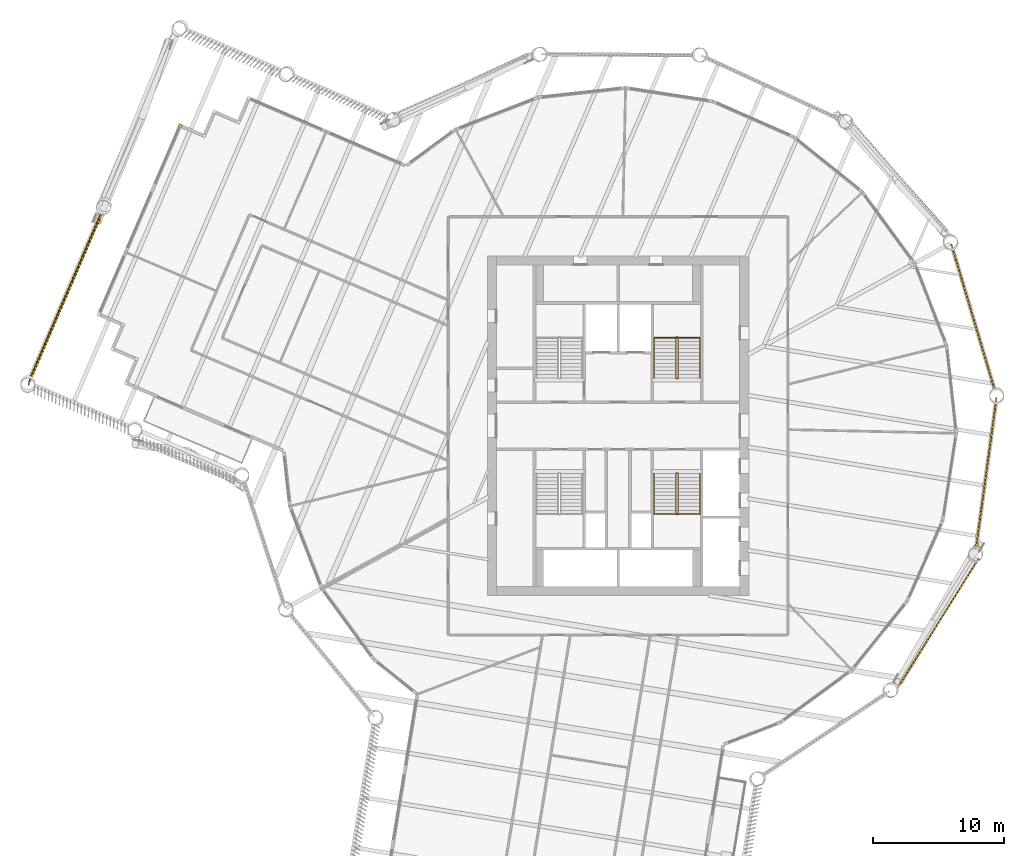
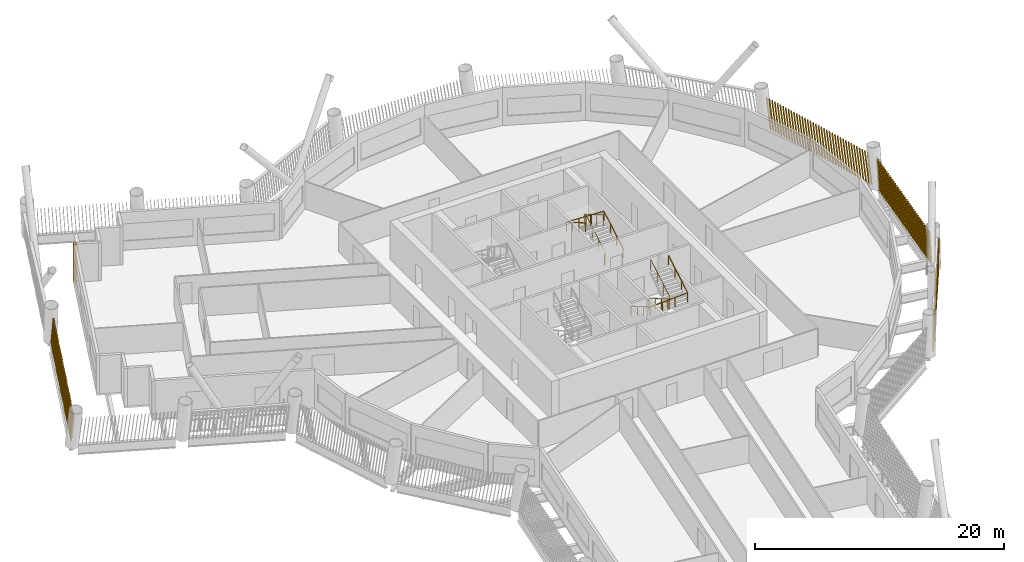
# One storey, part 20 of 22: 5 shading devices, 4 railings.
"""IFC4 building model written with IfcOpenShell, lengths in metres."""

from ifc_helpers import new_model, si_unit, direction, frame, frame_2d, origin, origin_2d, place, context, subcontext, project, spatial, rectangle, circle, composite_profile, extrude, material, type_object, element, save


model = new_model("IFC4")

# Units and contexts
model_context = context("Model", 3, precision=1e-05, world=origin(), true_north=direction((0.0, 1.0)))
body_context = subcontext(model_context, "Body", "Model", "MODEL_VIEW")
ifc_project = project(units=[si_unit("LENGTHUNIT", "METRE"), si_unit("AREAUNIT", "SQUARE_METRE"), si_unit("VOLUMEUNIT", "CUBIC_METRE"), si_unit("PLANEANGLEUNIT", "RADIAN"), si_unit("MASSUNIT", "GRAM", prefix="KILO")], contexts=[model_context])

# Site, building, storey
site_placement = place(None, origin())
site = spatial("IfcSite", under=ifc_project, at=site_placement, CompositionType="ELEMENT")
building_placement = place(site_placement, origin())
building = spatial("IfcBuilding", under=site, at=building_placement, Name="Tarsis Ring Headquarters", CompositionType="ELEMENT")
storey_placement = place(building_placement, frame((0.0, 0.0, 186.60009765625)))
storey = spatial("IfcBuildingStorey", under=building, at=storey_placement, Name="L43", CompositionType="ELEMENT", Elevation=186.60009765625)

# Railings
ifc_material_1 = material(Name="Steel S355", Category="steel")
railing_type_1 = type_object("IfcRailingType", Name="Core stair guard 1100", PredefinedType="GUARDRAIL", material=ifc_material_1)
railing_1_placement = place(storey_placement, frame((4.4599609375, 3.610107421875, 0.0)))
element("IfcRailing", 1, at=railing_1_placement, inside=storey, type_object=railing_type_1, Name="L43 ST2 stair guard 1", PredefinedType="GUARDRAIL", context=body_context, shape_type="SweptSolid", body=[
    extrude(circle(Radius=0.02392578125, at=origin_2d()), frame((0.0, 0.0, 1.076171875), z_axis=(1.0, 0.0, 0.0), x_axis=(0.0, 1.0, 0.0)), (0.0, 0.0, 1.0), 0.080078125),
    extrude(circle(Radius=0.02392578125, at=origin_2d()), frame((0.080078125, 0.0, 1.076171875), z_axis=(0.282693820306, 0.281314826061, 0.917031173188), x_axis=(-0.705375805398, 0.708833529934, 0.0)), (0.0, 0.0, 1.0), 0.177001953125),
    extrude(circle(Radius=0.02392578125, at=origin_2d()), frame((0.130126953125, 0.0498046875, 1.23828125), z_axis=(0.0, 0.864890721111, 0.501960198159), x_axis=(-1.0, 0.0, 0.0)), (0.0, 0.0, 1.0), 3.561279296875),
    extrude(circle(Radius=0.02392578125, at=origin_2d()), frame((0.130126953125, 3.1298828125, 3.02587890625), z_axis=(-0.707106781187, 0.707106781187, 0.0), x_axis=(-0.707106781187, -0.707106781187, 0.0)), (0.0, 0.0, 1.0), 0.07080078125),
    extrude(circle(Radius=0.02392578125, at=origin_2d()), frame((0.080078125, 3.179931640625, 3.02587890625), z_axis=(-1.0, 0.0, 0.0), x_axis=(0.0, -1.0, 0.0)), (0.0, 0.0, 1.0), 0.080078125),
    extrude(circle(Radius=0.02392578125, at=origin_2d()), frame((0.0, 3.179931640625, 3.02587890625), z_axis=(-0.282583949758, -0.282583949758, 0.916674763849), x_axis=(0.707106781187, -0.707106781187, 0.0)), (0.0, 0.0, 1.0), 0.177001953125),
    extrude(circle(Radius=0.02392578125, at=origin_2d()), frame((-0.050048828125, 3.1298828125, 3.1884765625), z_axis=(0.0, -0.864890721111, 0.501960198159), x_axis=(1.0, 0.0, 0.0)), (0.0, 0.0, 1.0), 3.561279296875),
    extrude(circle(Radius=0.02099609375, at=origin_2d()), origin(), (0.0, 0.0, 1.0), 1.052001953125),
    extrude(circle(Radius=0.02099609375, at=origin_2d()), frame((0.080078125, 0.0, 0.0)), (0.0, 0.0, 1.0), 1.052001953125),
    extrude(circle(Radius=0.02099609375, at=origin_2d()), frame((0.130126953125, 0.0498046875, 0.162353515625)), (0.0, 0.0, 1.0), 1.052001953125),
    extrude(circle(Radius=0.02099609375, at=origin_2d()), frame((0.130126953125, 1.076416015625, 0.75830078125)), (0.0, 0.0, 1.0), 1.052001953125),
    extrude(circle(Radius=0.02099609375, at=origin_2d()), frame((0.130126953125, 2.103271484375, 1.35400390625)), (0.0, 0.0, 1.0), 1.052001953125),
    extrude(circle(Radius=0.02099609375, at=origin_2d()), frame((0.130126953125, 3.1298828125, 1.949951171875)), (0.0, 0.0, 1.0), 1.052001953125),
    extrude(circle(Radius=0.02099609375, at=origin_2d()), frame((0.080078125, 3.179931640625, 1.949951171875)), (0.0, 0.0, 1.0), 1.052001953125),
    extrude(circle(Radius=0.02099609375, at=origin_2d()), frame((0.0, 3.179931640625, 1.949951171875)), (0.0, 0.0, 1.0), 1.052001953125),
    extrude(circle(Radius=0.02099609375, at=origin_2d()), frame((-0.050048828125, 3.1298828125, 2.1123046875)), (0.0, 0.0, 1.0), 1.052001953125),
    extrude(circle(Radius=0.02099609375, at=origin_2d()), frame((-0.050048828125, 2.103271484375, 2.708251953125)), (0.0, 0.0, 1.0), 1.052001953125),
    extrude(circle(Radius=0.02099609375, at=origin_2d()), frame((-0.050048828125, 1.076416015625, 3.303955078125)), (0.0, 0.0, 1.0), 1.052001953125),
    extrude(circle(Radius=0.02099609375, at=origin_2d()), frame((-0.050048828125, 0.0498046875, 3.89990234375)), (0.0, 0.0, 1.0), 1.052001953125),
])
railing_2_placement = place(storey_placement, frame((4.5400390625, -3.610107421875, 0.0)))
element("IfcRailing", 2, at=railing_2_placement, inside=storey, type_object=railing_type_1, Name="L43 ST4 stair guard 1", PredefinedType="GUARDRAIL", context=body_context, shape_type="SweptSolid", body=[
    extrude(circle(Radius=0.02392578125, at=origin_2d()), frame((0.0, 0.0, 1.076171875), z_axis=(-1.0, 0.0, 0.0), x_axis=(0.0, -1.0, 0.0)), (0.0, 0.0, 1.0), 0.080078125),
    extrude(circle(Radius=0.02392578125, at=origin_2d()), frame((-0.080078125, 0.0, 1.076171875), z_axis=(-0.282693820306, -0.281314826061, 0.917031173188), x_axis=(0.705375805398, -0.708833529934, 0.0)), (0.0, 0.0, 1.0), 0.177001953125),
    extrude(circle(Radius=0.02392578125, at=origin_2d()), frame((-0.130126953125, -0.0498046875, 1.23828125), z_axis=(0.0, -0.864890721111, 0.501960198159), x_axis=(1.0, 0.0, 0.0)), (0.0, 0.0, 1.0), 3.561279296875),
    extrude(circle(Radius=0.02392578125, at=origin_2d()), frame((-0.130126953125, -3.1298828125, 3.02587890625), z_axis=(0.707106781187, -0.707106781187, 0.0), x_axis=(0.707106781187, 0.707106781187, 0.0)), (0.0, 0.0, 1.0), 0.07080078125),
    extrude(circle(Radius=0.02392578125, at=origin_2d()), frame((-0.080078125, -3.179931640625, 3.02587890625), z_axis=(1.0, 0.0, 0.0), x_axis=(0.0, 1.0, 0.0)), (0.0, 0.0, 1.0), 0.080078125),
    extrude(circle(Radius=0.02392578125, at=origin_2d()), frame((0.0, -3.179931640625, 3.02587890625), z_axis=(0.282583949758, 0.282583949758, 0.916674763849), x_axis=(-0.707106781187, 0.707106781187, 0.0)), (0.0, 0.0, 1.0), 0.177001953125),
    extrude(circle(Radius=0.02392578125, at=origin_2d()), frame((0.050048828125, -3.1298828125, 3.1884765625), z_axis=(0.0, 0.864890721111, 0.501960198159), x_axis=(-1.0, 0.0, 0.0)), (0.0, 0.0, 1.0), 3.561279296875),
    extrude(circle(Radius=0.02099609375, at=origin_2d()), origin(), (0.0, 0.0, 1.0), 1.052001953125),
    extrude(circle(Radius=0.02099609375, at=origin_2d()), frame((-0.080078125, 0.0, 0.0)), (0.0, 0.0, 1.0), 1.052001953125),
    extrude(circle(Radius=0.02099609375, at=origin_2d()), frame((-0.130126953125, -0.0498046875, 0.162353515625)), (0.0, 0.0, 1.0), 1.052001953125),
    extrude(circle(Radius=0.02099609375, at=origin_2d()), frame((-0.130126953125, -1.076416015625, 0.75830078125)), (0.0, 0.0, 1.0), 1.052001953125),
    extrude(circle(Radius=0.02099609375, at=origin_2d()), frame((-0.130126953125, -2.103271484375, 1.35400390625)), (0.0, 0.0, 1.0), 1.052001953125),
    extrude(circle(Radius=0.02099609375, at=origin_2d()), frame((-0.130126953125, -3.1298828125, 1.949951171875)), (0.0, 0.0, 1.0), 1.052001953125),
    extrude(circle(Radius=0.02099609375, at=origin_2d()), frame((-0.080078125, -3.179931640625, 1.949951171875)), (0.0, 0.0, 1.0), 1.052001953125),
    extrude(circle(Radius=0.02099609375, at=origin_2d()), frame((0.0, -3.179931640625, 1.949951171875)), (0.0, 0.0, 1.0), 1.052001953125),
    extrude(circle(Radius=0.02099609375, at=origin_2d()), frame((0.050048828125, -3.1298828125, 2.1123046875)), (0.0, 0.0, 1.0), 1.052001953125),
    extrude(circle(Radius=0.02099609375, at=origin_2d()), frame((0.050048828125, -2.103271484375, 2.708251953125)), (0.0, 0.0, 1.0), 1.052001953125),
    extrude(circle(Radius=0.02099609375, at=origin_2d()), frame((0.050048828125, -1.076416015625, 3.303955078125)), (0.0, 0.0, 1.0), 1.052001953125),
    extrude(circle(Radius=0.02099609375, at=origin_2d()), frame((0.050048828125, -0.0498046875, 3.89990234375)), (0.0, 0.0, 1.0), 1.052001953125),
])
railing_type_2 = type_object("IfcRailingType", Name="Core stair handrail 900", PredefinedType="HANDRAIL", material=ifc_material_1)
railing_3_placement = place(storey_placement, frame((6.25, 3.659912109375, 0.162353515625)))
element("IfcRailing", 3, at=railing_3_placement, inside=storey, type_object=railing_type_2, Name="L43 ST2 stair handrail 1", PredefinedType="HANDRAIL", context=body_context, shape_type="SweptSolid", body=[
    extrude(circle(Radius=0.02392578125, at=origin_2d()), frame((0.0, 0.0, 0.8759765625), z_axis=(0.0, 0.864890721111, 0.501960198159), x_axis=(-1.0, 0.0, 0.0)), (0.0, 0.0, 1.0), 3.561279296875),
    extrude(circle(Radius=0.02392578125, at=origin_2d()), frame((0.0, 3.080078125, 2.66357421875), z_axis=(-0.998925869279, 0.0, 0.04633689335), x_axis=(0.0, -1.0, 0.0)), (0.0, 0.0, 1.0), 3.503662109375),
    extrude(circle(Radius=0.02392578125, at=origin_2d()), frame((-3.5, 3.080078125, 2.82568359375), z_axis=(0.0, -0.864890721111, 0.501960198159), x_axis=(1.0, 0.0, 0.0)), (0.0, 0.0, 1.0), 3.561279296875),
    extrude(circle(Radius=0.02099609375, at=origin_2d()), origin(), (0.0, 0.0, 1.0), 0.851806640625),
    extrude(circle(Radius=0.02099609375, at=origin_2d()), frame((0.0, 1.026611328125, 0.595947265625)), (0.0, 0.0, 1.0), 0.851806640625),
    extrude(circle(Radius=0.02099609375, at=origin_2d()), frame((0.0, 2.053466796875, 1.191650390625)), (0.0, 0.0, 1.0), 0.851806640625),
    extrude(circle(Radius=0.02099609375, at=origin_2d()), frame((0.0, 3.080078125, 1.78759765625)), (0.0, 0.0, 1.0), 0.851806640625),
    extrude(circle(Radius=0.02099609375, at=origin_2d()), frame((-1.166748046875, 3.080078125, 1.841796875)), (0.0, 0.0, 1.0), 0.851806640625),
    extrude(circle(Radius=0.02099609375, at=origin_2d()), frame((-2.333251953125, 3.080078125, 1.895751953125)), (0.0, 0.0, 1.0), 0.851806640625),
    extrude(circle(Radius=0.02099609375, at=origin_2d()), frame((-3.5, 3.080078125, 1.949951171875)), (0.0, 0.0, 1.0), 0.851806640625),
    extrude(circle(Radius=0.02099609375, at=origin_2d()), frame((-3.5, 2.053466796875, 2.5458984375)), (0.0, 0.0, 1.0), 0.851806640625),
    extrude(circle(Radius=0.02099609375, at=origin_2d()), frame((-3.5, 1.026611328125, 3.1416015625)), (0.0, 0.0, 1.0), 0.851806640625),
    extrude(circle(Radius=0.02099609375, at=origin_2d()), frame((-3.5, 0.0, 3.737548828125)), (0.0, 0.0, 1.0), 0.851806640625),
])
railing_4_placement = place(storey_placement, frame((2.75, -3.659912109375, 0.162353515625)))
element("IfcRailing", 4, at=railing_4_placement, inside=storey, type_object=railing_type_2, Name="L43 ST4 stair handrail 1", PredefinedType="HANDRAIL", context=body_context, shape_type="SweptSolid", body=[
    extrude(circle(Radius=0.02392578125, at=origin_2d()), frame((0.0, 0.0, 0.8759765625), z_axis=(0.0, -0.864890721111, 0.501960198159), x_axis=(1.0, 0.0, 0.0)), (0.0, 0.0, 1.0), 3.561279296875),
    extrude(circle(Radius=0.02392578125, at=origin_2d()), frame((0.0, -3.080078125, 2.66357421875), z_axis=(0.998925869279, 0.0, 0.04633689335), x_axis=(0.0, 1.0, 0.0)), (0.0, 0.0, 1.0), 3.503662109375),
    extrude(circle(Radius=0.02392578125, at=origin_2d()), frame((3.5, -3.080078125, 2.82568359375), z_axis=(0.0, 0.864890721111, 0.501960198159), x_axis=(-1.0, 0.0, 0.0)), (0.0, 0.0, 1.0), 3.561279296875),
    extrude(circle(Radius=0.02099609375, at=origin_2d()), origin(), (0.0, 0.0, 1.0), 0.851806640625),
    extrude(circle(Radius=0.02099609375, at=origin_2d()), frame((0.0, -1.026611328125, 0.595947265625)), (0.0, 0.0, 1.0), 0.851806640625),
    extrude(circle(Radius=0.02099609375, at=origin_2d()), frame((0.0, -2.053466796875, 1.191650390625)), (0.0, 0.0, 1.0), 0.851806640625),
    extrude(circle(Radius=0.02099609375, at=origin_2d()), frame((0.0, -3.080078125, 1.78759765625)), (0.0, 0.0, 1.0), 0.851806640625),
    extrude(circle(Radius=0.02099609375, at=origin_2d()), frame((1.166748046875, -3.080078125, 1.841796875)), (0.0, 0.0, 1.0), 0.851806640625),
    extrude(circle(Radius=0.02099609375, at=origin_2d()), frame((2.333251953125, -3.080078125, 1.895751953125)), (0.0, 0.0, 1.0), 0.851806640625),
    extrude(circle(Radius=0.02099609375, at=origin_2d()), frame((3.5, -3.080078125, 1.949951171875)), (0.0, 0.0, 1.0), 0.851806640625),
    extrude(circle(Radius=0.02099609375, at=origin_2d()), frame((3.5, -2.053466796875, 2.5458984375)), (0.0, 0.0, 1.0), 0.851806640625),
    extrude(circle(Radius=0.02099609375, at=origin_2d()), frame((3.5, -1.026611328125, 3.1416015625)), (0.0, 0.0, 1.0), 0.851806640625),
    extrude(circle(Radius=0.02099609375, at=origin_2d()), frame((3.5, 0.0, 3.737548828125)), (0.0, 0.0, 1.0), 0.851806640625),
])

# Shading devices
ifc_material_2 = material(Name="Terracotta baguette", Category="masonry")
shading_device_type_1 = type_object("IfcShadingDeviceType", Name="Terracotta baguette screen", PredefinedType="USERDEFINED", material=ifc_material_2)
shading_device_1_placement = place(storey_placement, frame((21.377685546875, -20.059326171875, 0.0), z_axis=(0.0, 0.0, 1.0), x_axis=(0.531621668548, 0.84697022311, 0.0)))
element("IfcShadingDevice", 5, at=shading_device_1_placement, inside=storey, type_object=shading_device_type_1, Name="Baguette screen L43-08", ObjectType="Terracotta baguette screen", PredefinedType="USERDEFINED", context=body_context, shape_type="SweptSolid", body=[
    extrude(composite_profile([rectangle(XDim=0.06005859375, YDim=0.1201171875, at=frame_2d((0.030029296875, 0.0))), rectangle(XDim=0.06005859375, YDim=0.1201171875, at=frame_2d((0.33251953125, 0.0))), rectangle(XDim=0.06005859375, YDim=0.1201171875, at=frame_2d((0.634765625, 0.0))), rectangle(XDim=0.06005859375, YDim=0.1201171875, at=frame_2d((0.937255859375, 0.0))), rectangle(XDim=0.06005859375, YDim=0.1201171875, at=frame_2d((1.239501953125, 0.0))), rectangle(XDim=0.06005859375, YDim=0.1201171875, at=frame_2d((1.5419921875, 0.0))), rectangle(XDim=0.06005859375, YDim=0.1201171875, at=frame_2d((1.844482421875, 0.0))), rectangle(XDim=0.06005859375, YDim=0.1201171875, at=frame_2d((2.146728515625, 0.0))), rectangle(XDim=0.06005859375, YDim=0.1201171875, at=frame_2d((2.44921875, 0.0))), rectangle(XDim=0.06005859375, YDim=0.1201171875, at=frame_2d((2.751708984375, 0.0))), rectangle(XDim=0.06005859375, YDim=0.1201171875, at=frame_2d((3.053955078125, 0.0))), rectangle(XDim=0.06005859375, YDim=0.1201171875, at=frame_2d((3.3564453125, 0.0))), rectangle(XDim=0.06005859375, YDim=0.1201171875, at=frame_2d((3.65869140625, 0.0))), rectangle(XDim=0.06005859375, YDim=0.1201171875, at=frame_2d((3.961181640625, 0.0))), rectangle(XDim=0.06005859375, YDim=0.1201171875, at=frame_2d((4.263671875, 0.0))), rectangle(XDim=0.06005859375, YDim=0.1201171875, at=frame_2d((4.56591796875, 0.0))), rectangle(XDim=0.06005859375, YDim=0.1201171875, at=frame_2d((4.868408203125, 0.0))), rectangle(XDim=0.06005859375, YDim=0.1201171875, at=frame_2d((5.1708984375, 0.0))), rectangle(XDim=0.06005859375, YDim=0.1201171875, at=frame_2d((5.47314453125, 0.0))), rectangle(XDim=0.06005859375, YDim=0.1201171875, at=frame_2d((5.775634765625, 0.0))), rectangle(XDim=0.06005859375, YDim=0.1201171875, at=frame_2d((6.077880859375, 0.0))), rectangle(XDim=0.06005859375, YDim=0.1201171875, at=frame_2d((6.38037109375, 0.0))), rectangle(XDim=0.06005859375, YDim=0.1201171875, at=frame_2d((6.682861328125, 0.0))), rectangle(XDim=0.06005859375, YDim=0.1201171875, at=frame_2d((6.985107421875, 0.0))), rectangle(XDim=0.06005859375, YDim=0.1201171875, at=frame_2d((7.28759765625, 0.0))), rectangle(XDim=0.06005859375, YDim=0.1201171875, at=frame_2d((7.590087890625, 0.0))), rectangle(XDim=0.06005859375, YDim=0.1201171875, at=frame_2d((7.892333984375, 0.0))), rectangle(XDim=0.06005859375, YDim=0.1201171875, at=frame_2d((8.19482421875, 0.0))), rectangle(XDim=0.06005859375, YDim=0.1201171875, at=frame_2d((8.4970703125, 0.0))), rectangle(XDim=0.06005859375, YDim=0.1201171875, at=frame_2d((8.799560546875, 0.0))), rectangle(XDim=0.06005859375, YDim=0.1201171875, at=frame_2d((9.10205078125, 0.0))), rectangle(XDim=0.06005859375, YDim=0.1201171875, at=frame_2d((9.404296875, 0.0))), rectangle(XDim=0.06005859375, YDim=0.1201171875, at=frame_2d((9.706787109375, 0.0))), rectangle(XDim=0.06005859375, YDim=0.1201171875, at=frame_2d((10.00927734375, 0.0))), rectangle(XDim=0.06005859375, YDim=0.1201171875, at=frame_2d((10.3115234375, 0.0))), rectangle(XDim=0.06005859375, YDim=0.1201171875, at=frame_2d((10.614013671875, 0.0))), rectangle(XDim=0.06005859375, YDim=0.1201171875, at=frame_2d((10.916259765625, 0.0))), rectangle(XDim=0.06005859375, YDim=0.1201171875, at=frame_2d((11.21875, 0.0)))]), origin(), (0.151423690897, 0.001187073178, 0.988468237574), 2.984375),
])
shading_device_2_placement = place(storey_placement, frame((27.373779296875, -9.41357421875, 0.0), z_axis=(0.0, 0.0, 1.0), x_axis=(0.135257731959, 0.990819316332, 0.0)))
element("IfcShadingDevice", 6, at=shading_device_2_placement, inside=storey, type_object=shading_device_type_1, Name="Baguette screen L43-09", ObjectType="Terracotta baguette screen", PredefinedType="USERDEFINED", context=body_context, shape_type="SweptSolid", body=[
    extrude(composite_profile([rectangle(XDim=0.06005859375, YDim=0.1201171875, at=frame_2d((0.030029296875, 0.0))), rectangle(XDim=0.06005859375, YDim=0.1201171875, at=frame_2d((0.33251953125, 0.0))), rectangle(XDim=0.06005859375, YDim=0.1201171875, at=frame_2d((0.634765625, 0.0))), rectangle(XDim=0.06005859375, YDim=0.1201171875, at=frame_2d((0.937255859375, 0.0))), rectangle(XDim=0.06005859375, YDim=0.1201171875, at=frame_2d((1.239501953125, 0.0))), rectangle(XDim=0.06005859375, YDim=0.1201171875, at=frame_2d((1.5419921875, 0.0))), rectangle(XDim=0.06005859375, YDim=0.1201171875, at=frame_2d((1.844482421875, 0.0))), rectangle(XDim=0.06005859375, YDim=0.1201171875, at=frame_2d((2.146728515625, 0.0))), rectangle(XDim=0.06005859375, YDim=0.1201171875, at=frame_2d((2.44921875, 0.0))), rectangle(XDim=0.06005859375, YDim=0.1201171875, at=frame_2d((2.751708984375, 0.0))), rectangle(XDim=0.06005859375, YDim=0.1201171875, at=frame_2d((3.053955078125, 0.0))), rectangle(XDim=0.06005859375, YDim=0.1201171875, at=frame_2d((3.3564453125, 0.0))), rectangle(XDim=0.06005859375, YDim=0.1201171875, at=frame_2d((3.65869140625, 0.0))), rectangle(XDim=0.06005859375, YDim=0.1201171875, at=frame_2d((3.961181640625, 0.0))), rectangle(XDim=0.06005859375, YDim=0.1201171875, at=frame_2d((4.263671875, 0.0))), rectangle(XDim=0.06005859375, YDim=0.1201171875, at=frame_2d((4.56591796875, 0.0))), rectangle(XDim=0.06005859375, YDim=0.1201171875, at=frame_2d((4.868408203125, 0.0))), rectangle(XDim=0.06005859375, YDim=0.1201171875, at=frame_2d((5.1708984375, 0.0))), rectangle(XDim=0.06005859375, YDim=0.1201171875, at=frame_2d((5.47314453125, 0.0))), rectangle(XDim=0.06005859375, YDim=0.1201171875, at=frame_2d((5.775634765625, 0.0))), rectangle(XDim=0.06005859375, YDim=0.1201171875, at=frame_2d((6.077880859375, 0.0))), rectangle(XDim=0.06005859375, YDim=0.1201171875, at=frame_2d((6.38037109375, 0.0))), rectangle(XDim=0.06005859375, YDim=0.1201171875, at=frame_2d((6.682861328125, 0.0))), rectangle(XDim=0.06005859375, YDim=0.1201171875, at=frame_2d((6.985107421875, 0.0))), rectangle(XDim=0.06005859375, YDim=0.1201171875, at=frame_2d((7.28759765625, 0.0))), rectangle(XDim=0.06005859375, YDim=0.1201171875, at=frame_2d((7.590087890625, 0.0))), rectangle(XDim=0.06005859375, YDim=0.1201171875, at=frame_2d((7.892333984375, 0.0))), rectangle(XDim=0.06005859375, YDim=0.1201171875, at=frame_2d((8.19482421875, 0.0))), rectangle(XDim=0.06005859375, YDim=0.1201171875, at=frame_2d((8.4970703125, 0.0))), rectangle(XDim=0.06005859375, YDim=0.1201171875, at=frame_2d((8.799560546875, 0.0))), rectangle(XDim=0.06005859375, YDim=0.1201171875, at=frame_2d((9.10205078125, 0.0))), rectangle(XDim=0.06005859375, YDim=0.1201171875, at=frame_2d((9.404296875, 0.0))), rectangle(XDim=0.06005859375, YDim=0.1201171875, at=frame_2d((9.706787109375, 0.0))), rectangle(XDim=0.06005859375, YDim=0.1201171875, at=frame_2d((10.00927734375, 0.0))), rectangle(XDim=0.06005859375, YDim=0.1201171875, at=frame_2d((10.3115234375, 0.0))), rectangle(XDim=0.06005859375, YDim=0.1201171875, at=frame_2d((10.614013671875, 0.0))), rectangle(XDim=0.06005859375, YDim=0.1201171875, at=frame_2d((10.916259765625, 0.0))), rectangle(XDim=0.06005859375, YDim=0.1201171875, at=frame_2d((11.21875, 0.0)))]), origin(), (0.149497178144, 0.001173484578, 0.988761455894), 2.9833984375),
])
shading_device_3_placement = place(storey_placement, frame((28.8203125, 2.70654296875, 0.0), z_axis=(0.0, 0.0, 1.0), x_axis=(-0.285165491047, 0.958480737927, 0.0)))
element("IfcShadingDevice", 7, at=shading_device_3_placement, inside=storey, type_object=shading_device_type_1, Name="Baguette screen L43-10", ObjectType="Terracotta baguette screen", PredefinedType="USERDEFINED", context=body_context, shape_type="SweptSolid", body=[
    extrude(composite_profile([rectangle(XDim=0.06005859375, YDim=0.1201171875, at=frame_2d((0.030029296875, 0.0))), rectangle(XDim=0.06005859375, YDim=0.1201171875, at=frame_2d((0.33251953125, 0.0))), rectangle(XDim=0.06005859375, YDim=0.1201171875, at=frame_2d((0.634765625, 0.0))), rectangle(XDim=0.06005859375, YDim=0.1201171875, at=frame_2d((0.937255859375, 0.0))), rectangle(XDim=0.06005859375, YDim=0.1201171875, at=frame_2d((1.239501953125, 0.0))), rectangle(XDim=0.06005859375, YDim=0.1201171875, at=frame_2d((1.5419921875, 0.0))), rectangle(XDim=0.06005859375, YDim=0.1201171875, at=frame_2d((1.844482421875, 0.0))), rectangle(XDim=0.06005859375, YDim=0.1201171875, at=frame_2d((2.146728515625, 0.0))), rectangle(XDim=0.06005859375, YDim=0.1201171875, at=frame_2d((2.44921875, 0.0))), rectangle(XDim=0.06005859375, YDim=0.1201171875, at=frame_2d((2.751708984375, 0.0))), rectangle(XDim=0.06005859375, YDim=0.1201171875, at=frame_2d((3.053955078125, 0.0))), rectangle(XDim=0.06005859375, YDim=0.1201171875, at=frame_2d((3.3564453125, 0.0))), rectangle(XDim=0.06005859375, YDim=0.1201171875, at=frame_2d((3.65869140625, 0.0))), rectangle(XDim=0.06005859375, YDim=0.1201171875, at=frame_2d((3.961181640625, 0.0))), rectangle(XDim=0.06005859375, YDim=0.1201171875, at=frame_2d((4.263671875, 0.0))), rectangle(XDim=0.06005859375, YDim=0.1201171875, at=frame_2d((4.56591796875, 0.0))), rectangle(XDim=0.06005859375, YDim=0.1201171875, at=frame_2d((4.868408203125, 0.0))), rectangle(XDim=0.06005859375, YDim=0.1201171875, at=frame_2d((5.1708984375, 0.0))), rectangle(XDim=0.06005859375, YDim=0.1201171875, at=frame_2d((5.47314453125, 0.0))), rectangle(XDim=0.06005859375, YDim=0.1201171875, at=frame_2d((5.775634765625, 0.0))), rectangle(XDim=0.06005859375, YDim=0.1201171875, at=frame_2d((6.077880859375, 0.0))), rectangle(XDim=0.06005859375, YDim=0.1201171875, at=frame_2d((6.38037109375, 0.0))), rectangle(XDim=0.06005859375, YDim=0.1201171875, at=frame_2d((6.682861328125, 0.0))), rectangle(XDim=0.06005859375, YDim=0.1201171875, at=frame_2d((6.985107421875, 0.0))), rectangle(XDim=0.06005859375, YDim=0.1201171875, at=frame_2d((7.28759765625, 0.0))), rectangle(XDim=0.06005859375, YDim=0.1201171875, at=frame_2d((7.590087890625, 0.0))), rectangle(XDim=0.06005859375, YDim=0.1201171875, at=frame_2d((7.892333984375, 0.0))), rectangle(XDim=0.06005859375, YDim=0.1201171875, at=frame_2d((8.19482421875, 0.0))), rectangle(XDim=0.06005859375, YDim=0.1201171875, at=frame_2d((8.4970703125, 0.0))), rectangle(XDim=0.06005859375, YDim=0.1201171875, at=frame_2d((8.799560546875, 0.0))), rectangle(XDim=0.06005859375, YDim=0.1201171875, at=frame_2d((9.10205078125, 0.0))), rectangle(XDim=0.06005859375, YDim=0.1201171875, at=frame_2d((9.404296875, 0.0))), rectangle(XDim=0.06005859375, YDim=0.1201171875, at=frame_2d((9.706787109375, 0.0))), rectangle(XDim=0.06005859375, YDim=0.1201171875, at=frame_2d((10.00927734375, 0.0))), rectangle(XDim=0.06005859375, YDim=0.1201171875, at=frame_2d((10.3115234375, 0.0))), rectangle(XDim=0.06005859375, YDim=0.1201171875, at=frame_2d((10.614013671875, 0.0))), rectangle(XDim=0.06005859375, YDim=0.1201171875, at=frame_2d((10.916259765625, 0.0))), rectangle(XDim=0.06005859375, YDim=0.1201171875, at=frame_2d((11.21875, 0.0)))]), origin(), (0.149496365373, 0.001174367529, 0.988761577733), 2.9833984375),
])
shading_device_4_placement = place(storey_placement, frame((-39.518798828125, 16.442626953125, 0.0), z_axis=(0.0, 0.0, 1.0), x_axis=(-0.394904909332, -0.918726227333, 0.0)))
element("IfcShadingDevice", 8, at=shading_device_4_placement, inside=storey, type_object=shading_device_type_1, Name="Baguette screen L43-18", ObjectType="Terracotta baguette screen", PredefinedType="USERDEFINED", context=body_context, shape_type="SweptSolid", body=[
    extrude(composite_profile([rectangle(XDim=0.06005859375, YDim=0.1201171875, at=frame_2d((0.030029296875, 0.0))), rectangle(XDim=0.06005859375, YDim=0.1201171875, at=frame_2d((0.33544921875, 0.0))), rectangle(XDim=0.06005859375, YDim=0.1201171875, at=frame_2d((0.640625, 0.0))), rectangle(XDim=0.06005859375, YDim=0.1201171875, at=frame_2d((0.946044921875, 0.0))), rectangle(XDim=0.06005859375, YDim=0.1201171875, at=frame_2d((1.25146484375, 0.0))), rectangle(XDim=0.06005859375, YDim=0.1201171875, at=frame_2d((1.556640625, 0.0))), rectangle(XDim=0.06005859375, YDim=0.1201171875, at=frame_2d((1.862060546875, 0.0))), rectangle(XDim=0.06005859375, YDim=0.1201171875, at=frame_2d((2.16748046875, 0.0))), rectangle(XDim=0.06005859375, YDim=0.1201171875, at=frame_2d((2.47265625, 0.0))), rectangle(XDim=0.06005859375, YDim=0.1201171875, at=frame_2d((2.778076171875, 0.0))), rectangle(XDim=0.06005859375, YDim=0.1201171875, at=frame_2d((3.08349609375, 0.0))), rectangle(XDim=0.06005859375, YDim=0.1201171875, at=frame_2d((3.388671875, 0.0))), rectangle(XDim=0.06005859375, YDim=0.1201171875, at=frame_2d((3.694091796875, 0.0))), rectangle(XDim=0.06005859375, YDim=0.1201171875, at=frame_2d((3.99951171875, 0.0))), rectangle(XDim=0.06005859375, YDim=0.1201171875, at=frame_2d((4.3046875, 0.0))), rectangle(XDim=0.06005859375, YDim=0.1201171875, at=frame_2d((4.610107421875, 0.0))), rectangle(XDim=0.06005859375, YDim=0.1201171875, at=frame_2d((4.91552734375, 0.0))), rectangle(XDim=0.06005859375, YDim=0.1201171875, at=frame_2d((5.220703125, 0.0))), rectangle(XDim=0.06005859375, YDim=0.1201171875, at=frame_2d((5.526123046875, 0.0))), rectangle(XDim=0.06005859375, YDim=0.1201171875, at=frame_2d((5.83154296875, 0.0))), rectangle(XDim=0.06005859375, YDim=0.1201171875, at=frame_2d((6.13671875, 0.0))), rectangle(XDim=0.06005859375, YDim=0.1201171875, at=frame_2d((6.442138671875, 0.0))), rectangle(XDim=0.06005859375, YDim=0.1201171875, at=frame_2d((6.74755859375, 0.0))), rectangle(XDim=0.06005859375, YDim=0.1201171875, at=frame_2d((7.052734375, 0.0))), rectangle(XDim=0.06005859375, YDim=0.1201171875, at=frame_2d((7.358154296875, 0.0))), rectangle(XDim=0.06005859375, YDim=0.1201171875, at=frame_2d((7.66357421875, 0.0))), rectangle(XDim=0.06005859375, YDim=0.1201171875, at=frame_2d((7.96875, 0.0))), rectangle(XDim=0.06005859375, YDim=0.1201171875, at=frame_2d((8.274169921875, 0.0))), rectangle(XDim=0.06005859375, YDim=0.1201171875, at=frame_2d((8.57958984375, 0.0))), rectangle(XDim=0.06005859375, YDim=0.1201171875, at=frame_2d((8.884765625, 0.0))), rectangle(XDim=0.06005859375, YDim=0.1201171875, at=frame_2d((9.190185546875, 0.0))), rectangle(XDim=0.06005859375, YDim=0.1201171875, at=frame_2d((9.49560546875, 0.0))), rectangle(XDim=0.06005859375, YDim=0.1201171875, at=frame_2d((9.80078125, 0.0))), rectangle(XDim=0.06005859375, YDim=0.1201171875, at=frame_2d((10.106201171875, 0.0))), rectangle(XDim=0.06005859375, YDim=0.1201171875, at=frame_2d((10.41162109375, 0.0))), rectangle(XDim=0.06005859375, YDim=0.1201171875, at=frame_2d((10.716796875, 0.0))), rectangle(XDim=0.06005859375, YDim=0.1201171875, at=frame_2d((11.022216796875, 0.0))), rectangle(XDim=0.06005859375, YDim=0.1201171875, at=frame_2d((11.32763671875, 0.0))), rectangle(XDim=0.06005859375, YDim=0.1201171875, at=frame_2d((11.6328125, 0.0))), rectangle(XDim=0.06005859375, YDim=0.1201171875, at=frame_2d((11.938232421875, 0.0))), rectangle(XDim=0.06005859375, YDim=0.1201171875, at=frame_2d((12.24365234375, 0.0))), rectangle(XDim=0.06005859375, YDim=0.1201171875, at=frame_2d((12.548828125, 0.0))), rectangle(XDim=0.06005859375, YDim=0.1201171875, at=frame_2d((12.854248046875, 0.0))), rectangle(XDim=0.06005859375, YDim=0.1201171875, at=frame_2d((13.15966796875, 0.0))), rectangle(XDim=0.06005859375, YDim=0.1201171875, at=frame_2d((13.46484375, 0.0))), rectangle(XDim=0.06005859375, YDim=0.1201171875, at=frame_2d((13.770263671875, 0.0)))]), origin(), (0.221731396728, 0.04013223788, 0.974281576952), 3.02783203125),
])
shading_device_type_2 = type_object("IfcShadingDeviceType", Name="Terracotta corner baguette 250x250", PredefinedType="USERDEFINED", material=ifc_material_2)
shading_device_5_placement = place(storey_placement, frame((-33.524169921875, 22.981689453125, 0.0), z_axis=(0.0, 0.0, 1.0), x_axis=(-0.918722224539, 0.394904386071, 0.0)))
element("IfcShadingDevice", 9, at=shading_device_5_placement, inside=storey, type_object=shading_device_type_2, Name="Corner baguette L43-36", ObjectType="Terracotta corner baguette", PredefinedType="USERDEFINED", context=body_context, shape_type="SweptSolid", body=[
    extrude(rectangle(XDim=0.25, YDim=0.25, at=origin_2d()), origin(), (0.0, 0.0, 1.0), 3.739990234375),
])

save(model, "model.ifc")
